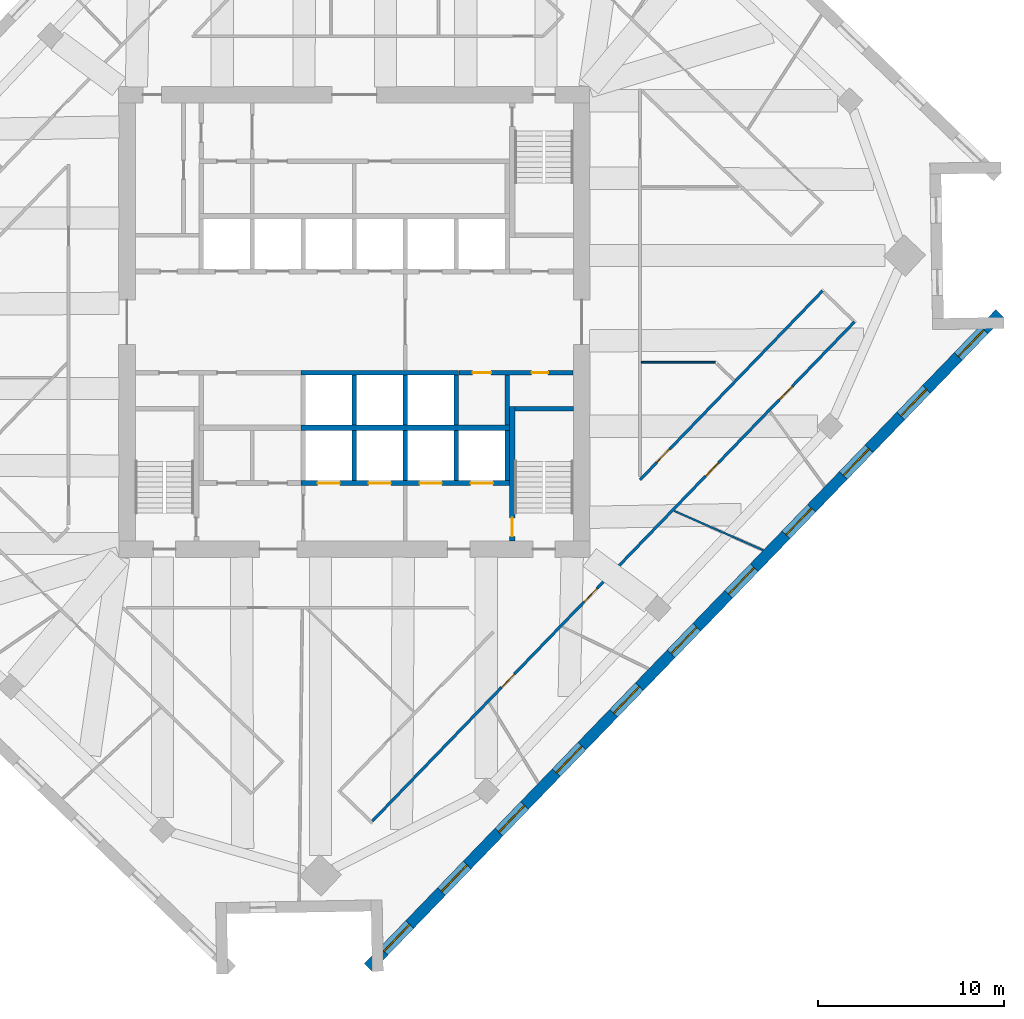
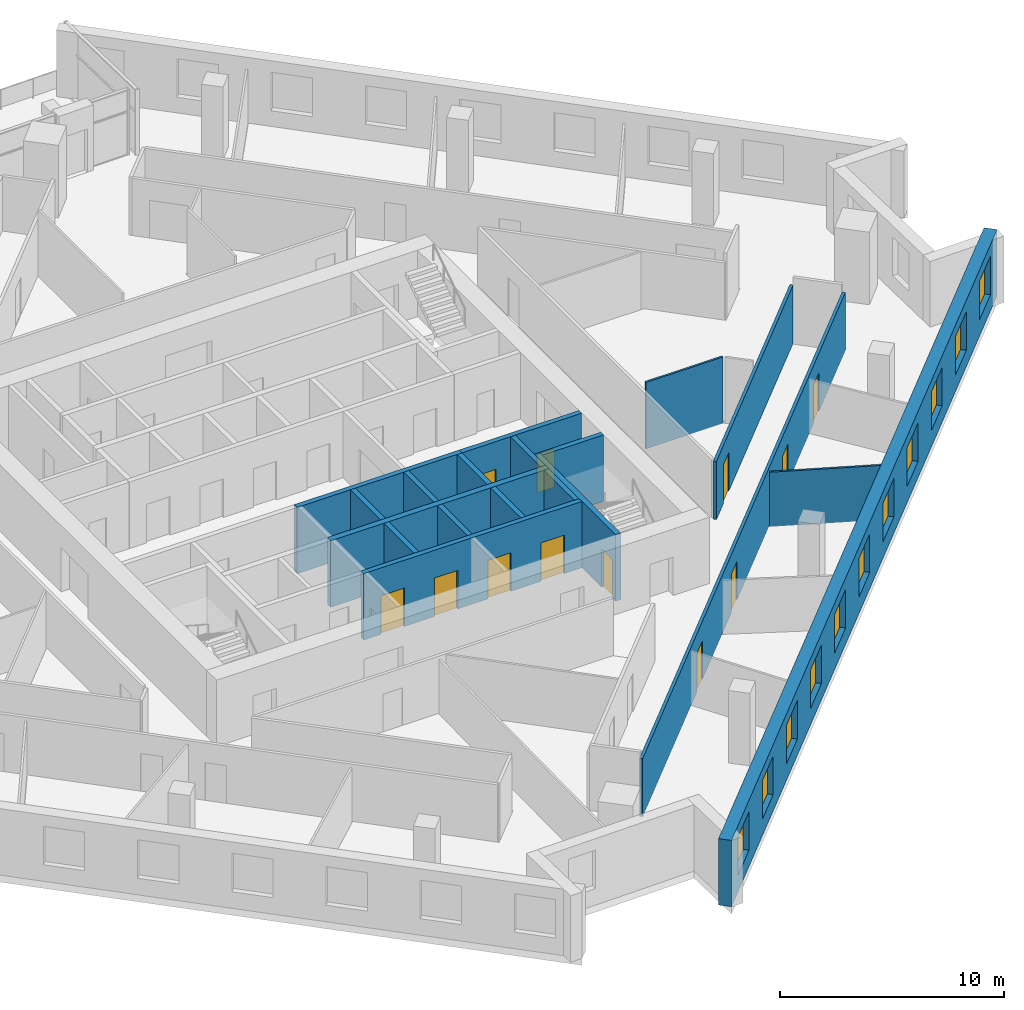
# One storey, part 7 of 13: 19 walls, 12 doors, 11 windows, 23 openings.
"""IFC4 building model written with IfcOpenShell, lengths in metres."""

import ifcopenshell
import ifcopenshell.guid

model = None  # the IFC model being written
_history = None  # IfcOwnerHistory: only IFC2X3 demands one
_inside = {}  # id of a spatial element -> (the spatial element, [elements in it])
_under = {}  # id of a project, library or spatial element -> (it, [spatial elements below it])
_declared = {}  # id of a project -> (the project, [libraries it declares])
_typed = {}  # id of a type object -> (the type object, [elements of that type])
_made_of = {}  # id of a material, layer set ... -> (it, [elements and type objects made of it])


def new_model(schema):
    """Start an empty IFC model of exactly this schema.

    Asked for "IFC4X3", IfcOpenShell would pick the latest addendum, in which some entities
    have other attributes; the version numbers below select the first issue.
    IFC2X3 requires an IfcOwnerHistory on every rooted entity: one is made here for all.
    """
    global model, _history
    if schema == "IFC4X3":
        model = ifcopenshell.file(schema_version=(4, 3, 0, 0))
    else:
        model = ifcopenshell.file(schema=schema)
    _inside.clear()
    _under.clear()
    _declared.clear()
    _typed.clear()
    _made_of.clear()
    _history = None
    if model.schema == "IFC2X3":
        org = make("IfcOrganization", Name="unknown")
        user = make(
            "IfcPersonAndOrganization",
            ThePerson=make("IfcPerson", FamilyName="unknown"),
            TheOrganization=org,
        )
        app = make(
            "IfcApplication",
            ApplicationDeveloper=org,
            Version="unknown",
            ApplicationFullName="unknown",
            ApplicationIdentifier="unknown",
        )
        _history = make(
            "IfcOwnerHistory",
            OwningUser=user,
            OwningApplication=app,
            ChangeAction="ADDED",
            CreationDate=0,
        )
    return model


def make(cls, **values):
    """One entity of the class cls with the attributes given. An attribute that is None is left unset."""
    return model.create_entity(
        cls, **{name: value for name, value in values.items() if value is not None}
    )


def rooted(cls, **values):
    """An entity with a GlobalId (a new one), such as an element, a storey or a relation."""
    return make(cls, GlobalId=ifcopenshell.guid.new(), OwnerHistory=_history, **values)


def si_unit(unit_type, name, prefix=None):
    """IfcSIUnit, for example si_unit("LENGTHUNIT", "METRE", prefix="MILLI")."""
    return make("IfcSIUnit", UnitType=unit_type, Prefix=prefix, Name=name)


def assignment(units):
    """IfcUnitAssignment: the units of a project."""
    return None if units is None else make("IfcUnitAssignment", Units=units)


def point(xyz):
    """IfcCartesianPoint."""
    return None if xyz is None else make("IfcCartesianPoint", Coordinates=xyz)


def direction(xyz):
    """IfcDirection."""
    return None if xyz is None else make("IfcDirection", DirectionRatios=xyz)


def frame(location, z_axis=None, x_axis=None):
    """IfcAxis2Placement3D, a coordinate frame: its origin and axes. An axis left out is left unset."""
    return make(
        "IfcAxis2Placement3D",
        Location=point(location),
        Axis=direction(z_axis),
        RefDirection=direction(x_axis),
    )


def frame_2d(location, x_axis=None):
    """IfcAxis2Placement2D, a coordinate frame in the plane: its origin and x axis."""
    return make(
        "IfcAxis2Placement2D", Location=point(location), RefDirection=direction(x_axis)
    )


def origin():
    """The frame at (0, 0, 0) with its axes left unset."""
    return frame((0.0, 0.0, 0.0))


def place(relative_to, where):
    """IfcLocalPlacement: puts the frame where relative to a parent placement (None: the world)."""
    return make(
        "IfcLocalPlacement", PlacementRelTo=relative_to, RelativePlacement=where
    )


def context(
    kind, dimensions, precision=None, world=None, true_north=None, identifier=None
):
    """IfcGeometricRepresentationContext, for example the 3D "Model" context."""
    return make(
        "IfcGeometricRepresentationContext",
        ContextIdentifier=identifier,
        ContextType=kind,
        CoordinateSpaceDimension=dimensions,
        Precision=precision,
        WorldCoordinateSystem=world,
        TrueNorth=true_north,
    )


def subcontext(parent, identifier, kind, view, scale=None):
    """IfcGeometricRepresentationSubContext, for example "Body" below "Model"."""
    return make(
        "IfcGeometricRepresentationSubContext",
        ContextIdentifier=identifier,
        ContextType=kind,
        ParentContext=parent,
        TargetScale=scale,
        TargetView=view,
    )


def project(units=None, contexts=None):
    """IfcProject with its units and contexts."""
    return rooted(
        "IfcProject",
        Name="project",
        RepresentationContexts=contexts,
        UnitsInContext=assignment(units),
    )


def spatial(cls, under=None, at=None, **own):
    """A site, building, storey or space (cls), placed at a placement, below another one or the project."""
    s = rooted(cls, ObjectPlacement=at, **own)
    if under is not None:
        _under.setdefault(under.id(), (under, []))[1].append(s)
    return s


def profile(cls, at=None, kind="AREA", **sizes):
    """A parametric profile (cls). Its sizes go by their IFC names, for example OverallWidth=200.0."""
    return make(cls, ProfileType=kind, Position=at, **sizes)


def rectangle(**sizes):
    """IfcRectangleProfileDef."""
    return profile("IfcRectangleProfileDef", **sizes)


def extrude(swept, where, along, depth):
    """IfcExtrudedAreaSolid: the profile swept, set in the frame where, extruded along a direction by depth."""
    return make(
        "IfcExtrudedAreaSolid",
        SweptArea=swept,
        Position=where,
        ExtrudedDirection=direction(along),
        Depth=depth,
    )


def shape(context_of_items, identifier, shape_type, items):
    """IfcShapeRepresentation: the items that make up one representation, for example the "Body"."""
    return make(
        "IfcShapeRepresentation",
        ContextOfItems=context_of_items,
        RepresentationIdentifier=identifier,
        RepresentationType=shape_type,
        Items=items,
    )


def material(Name=None, Category=None):
    """IfcMaterial."""
    return make("IfcMaterial", Name=Name, Category=Category)


def layer(
    of_material, thickness, ventilated=None, Name=None, Category=None, Priority=None
):
    """IfcMaterialLayer: one layer of a wall or slab, of a material (None: an air gap)."""
    return make(
        "IfcMaterialLayer",
        Material=of_material,
        LayerThickness=thickness,
        IsVentilated=ventilated,
        Name=Name,
        Category=Category,
        Priority=Priority,
    )


def layer_set(layers, Name=None):
    """IfcMaterialLayerSet."""
    return make("IfcMaterialLayerSet", MaterialLayers=layers, LayerSetName=Name)


def made_of(thing, what):
    """Note that an element or type object is made of a material, layer set ...; save() writes the relation."""
    if what is not None:
        _made_of.setdefault(what.id(), (what, []))[1].append(thing)
    return thing


def type_object(cls, material=None, **own):
    """A type object (cls), such as IfcWallType, which elements share."""
    return made_of(rooted(cls, **own), material)


def element(
    cls,
    number,
    at=None,
    inside=None,
    cuts=None,
    type_object=None,
    material=None,
    context=None,
    identifier="Body",
    shape_type=None,
    held_by="IfcProductDefinitionShape",
    body=None,
    shapes=None,
    **own,
):
    """One element of the class cls, such as IfcWall. Its Tag is "e" and its number.

    at: its placement. inside: the storey or other place that contains it. cuts: it is an
    opening in that element (IfcRelVoidsElement). A single representation is given by context,
    identifier, shape_type and body (its items); several are given by shapes. held_by: the class
    of the entity that holds the representations. save() writes the other relations.
    """
    e = rooted(cls, Tag="e%d" % number, ObjectPlacement=at, **own)
    if body is not None:
        shapes = [shape(context, identifier, shape_type, body)]
    if shapes is not None:
        e.Representation = make(held_by, Representations=shapes)
    if inside is not None:
        _inside.setdefault(inside.id(), (inside, []))[1].append(e)
    if cuts is not None:
        rooted(
            "IfcRelVoidsElement", RelatingBuildingElement=cuts, RelatedOpeningElement=e
        )
    if type_object is not None:
        _typed.setdefault(type_object.id(), (type_object, []))[1].append(e)
    return made_of(e, material)


def fill(opening, filler):
    """IfcRelFillsElement: the door or window that sits in an opening."""
    return rooted(
        "IfcRelFillsElement",
        RelatingOpeningElement=opening,
        RelatedBuildingElement=filler,
    )


def aggregate(whole, parts):
    """IfcRelAggregates: a whole, such as a stair, and the parts it consists of."""
    return rooted("IfcRelAggregates", RelatingObject=whole, RelatedObjects=parts)


def save(model, path):
    """Write the relations noted so far, then the file.

    IfcRelAggregates (storeys below a building ...), IfcRelContainedInSpatialStructure (elements
    in a storey), IfcRelDefinesByType, IfcRelAssociatesMaterial and IfcRelDeclares: one each for
    every whole, place, type object, material and project.
    """
    for whole, parts in _under.values():
        aggregate(whole, parts)
    for where, things in _inside.values():
        rooted(
            "IfcRelContainedInSpatialStructure",
            RelatedElements=things,
            RelatingStructure=where,
        )
    for kind, things in _typed.values():
        rooted("IfcRelDefinesByType", RelatedObjects=things, RelatingType=kind)
    for what, things in _made_of.values():
        rooted("IfcRelAssociatesMaterial", RelatedObjects=things, RelatingMaterial=what)
    for by, libraries in _declared.values():
        rooted("IfcRelDeclares", RelatingContext=by, RelatedDefinitions=libraries)
    model.write(path)


model = new_model("IFC4")

# Units and contexts
model_context = context("Model", 3, precision=1e-05, world=origin(), true_north=direction((0.0, 1.0)))
body_context = subcontext(model_context, "Body", "Model", "MODEL_VIEW")
ifc_project = project(units=[si_unit("LENGTHUNIT", "METRE"), si_unit("AREAUNIT", "SQUARE_METRE"), si_unit("VOLUMEUNIT", "CUBIC_METRE"), si_unit("PLANEANGLEUNIT", "RADIAN"), si_unit("MASSUNIT", "GRAM", prefix="KILO")], contexts=[model_context])

# Site, building, storey
site_placement = place(None, origin())
site = spatial("IfcSite", under=ifc_project, at=site_placement, CompositionType="ELEMENT")
building_placement = place(site_placement, origin())
building = spatial("IfcBuilding", under=site, at=building_placement, Name="Dilmun Exchange Tower", CompositionType="ELEMENT")
storey_placement = place(building_placement, frame((0.0, 0.0, 213.300048828125)))
storey = spatial("IfcBuildingStorey", under=building, at=storey_placement, Name="L50", CompositionType="ELEMENT", Elevation=213.300048828125)

# Wall
ifc_material_1 = material(Name="Concrete C40/50", Category="concrete")
ifc_layer_1 = layer(ifc_material_1, 0.25)
ifc_layer_set_1 = layer_set([ifc_layer_1], Name="Concrete C40/50")
wall_type_1 = type_object("IfcWallType", Name="Core partition wall 250", PredefinedType="PARTITIONING", material=ifc_layer_set_1)
wall_1_placement = place(storey_placement, frame((8.25, -5.544921875, 0.0), z_axis=(0.0, 0.0, 1.0), x_axis=(0.0, 1.0, 0.0)))
element("IfcWall", 1, at=wall_1_placement, inside=storey, type_object=wall_type_1, Name="L50 core partition wall 08", PredefinedType="PARTITIONING", context=body_context, shape_type="SweptSolid", body=[
    extrude(rectangle(XDim=2.68994140625, YDim=0.25, at=frame_2d((1.344970703125, 0.0))), origin(), (0.0, 0.0, 1.0), 3.619873046875),
])

# Wall, openings, doors
wall_2_placement = place(storey_placement, frame((5.6298828125, -2.72509765625, 0.0), z_axis=(0.0, 0.0, 1.0), x_axis=(1.0, 0.0, 0.0)))
wall_2 = element("IfcWall", 2, at=wall_2_placement, inside=storey, type_object=wall_type_1, Name="L50 core partition wall 10", PredefinedType="PARTITIONING", context=body_context, shape_type="SweptSolid", body=[
    extrude(rectangle(XDim=6.1650390625, YDim=0.25, at=frame_2d((3.08251953125, 0.0))), origin(), (0.0, 0.0, 1.0), 3.619873046875),
])
opening_1_placement = place(wall_2_placement, frame((0.7451171875, 0.0, 0.0)))
opening_1 = element("IfcOpeningElement", 3, at=opening_1_placement, cuts=wall_2, Name="Opening CD4", PredefinedType="OPENING", context=body_context, shape_type="SweptSolid", body=[
    extrude(rectangle(XDim=1.0, YDim=2.10009765625, at=frame_2d((0.5, 1.050048828125))), frame((0.0, 0.135009765625, 0.0), z_axis=(0.0, -1.0, 0.0), x_axis=(1.0, 0.0, 0.0)), (0.0, 0.0, 1.0), 0.27001953125),
])
opening_2_placement = place(wall_2_placement, frame((3.919921875, 0.0, 0.0)))
opening_2 = element("IfcOpeningElement", 4, at=opening_2_placement, cuts=wall_2, Name="Opening CD6", PredefinedType="OPENING", context=body_context, shape_type="SweptSolid", body=[
    extrude(rectangle(XDim=0.89990234375, YDim=2.10009765625, at=frame_2d((0.449951171875, 1.050048828125))), frame((0.0, 0.135009765625, 0.0), z_axis=(0.0, -1.0, 0.0), x_axis=(1.0, 0.0, 0.0)), (0.0, 0.0, 1.0), 0.27001953125),
])
ifc_material_2 = material(Name="Fire-rated steel door set", Category="steel")
door_type_1 = type_object("IfcDoorType", Name="Core room door 1000x2100", OperationType="SINGLE_SWING_LEFT", PredefinedType="DOOR", material=ifc_material_2)
door_1_placement = place(opening_1_placement, origin())
door_1 = element("IfcDoor", 5, at=door_1_placement, inside=storey, type_object=door_type_1, Name="L50 door Cleaners' store", OperationType="SINGLE_SWING_LEFT", OverallHeight=2.10009765625, OverallWidth=1.0, PredefinedType="DOOR", context=body_context, shape_type="SweptSolid", body=[
    extrude(rectangle(XDim=1.0, YDim=2.10009765625, at=frame_2d((0.5, 1.050048828125))), frame((0.0, 0.02490234375, 0.0), z_axis=(0.0, -1.0, 0.0), x_axis=(1.0, 0.0, 0.0)), (0.0, 0.0, 1.0), 0.050048828125),
])
fill(opening_1, door_1)
door_type_2 = type_object("IfcDoorType", Name="Core room door 900x2100", OperationType="SINGLE_SWING_LEFT", PredefinedType="DOOR", material=ifc_material_2)
door_2_placement = place(opening_2_placement, origin())
door_2 = element("IfcDoor", 6, at=door_2_placement, inside=storey, type_object=door_type_2, Name="L50 door Comms riser", OperationType="SINGLE_SWING_LEFT", OverallHeight=2.10009765625, OverallWidth=0.89990234375, PredefinedType="DOOR", context=body_context, shape_type="SweptSolid", body=[
    extrude(rectangle(XDim=0.89990234375, YDim=2.10009765625, at=frame_2d((0.449951171875, 1.050048828125))), frame((0.0, 0.02490234375, 0.0), z_axis=(0.0, -1.0, 0.0), x_axis=(1.0, 0.0, 0.0)), (0.0, 0.0, 1.0), 0.050048828125),
])
fill(opening_2, door_2)

ifc_material_3 = material(Name="Corridor wall 150")
ifc_layer_2 = layer(ifc_material_3, 0.14990234375)
ifc_layer_set_2 = layer_set([ifc_layer_2], Name="Corridor wall 150")
wall_type_2 = type_object("IfcWallType", Name="Corridor wall 150", PredefinedType="PARTITIONING", material=ifc_layer_set_2)
wall_3_placement = place(storey_placement, frame((0.97705078125, -26.889892578125, 0.0), z_axis=(0.0, 0.0, 1.0), x_axis=(0.694659509326, 0.719338700546, 0.0)))
wall_3 = element("IfcWall", 7, at=wall_3_placement, inside=storey, type_object=wall_type_2, Name="Corridor wall", PredefinedType="PARTITIONING", context=body_context, shape_type="SweptSolid", body=[
    extrude(rectangle(XDim=37.40380859375, YDim=0.14990234375, at=frame_2d((18.701904296875, 0.0))), origin(), (0.0, 0.0, 1.0), 3.169921875),
])
opening_3_placement = place(wall_3_placement, frame((10.01708984375, 0.0, 0.0)))
opening_3 = element("IfcOpeningElement", 8, at=opening_3_placement, cuts=wall_3, Name="Opening TF48-D16", PredefinedType="OPENING", context=body_context, shape_type="SweptSolid", body=[
    extrude(rectangle(XDim=1.0, YDim=2.10009765625, at=frame_2d((0.5, 1.050048828125))), frame((0.0, 0.0849609375, 0.0), z_axis=(0.0, -1.0, 0.0), x_axis=(1.0, 0.0, 0.0)), (0.0, 0.0, 1.0), 0.169921875),
])
opening_4_placement = place(wall_3_placement, frame((16.41552734375, 0.0, 0.0)))
opening_4 = element("IfcOpeningElement", 9, at=opening_4_placement, cuts=wall_3, Name="Opening TF48-D18", PredefinedType="OPENING", context=body_context, shape_type="SweptSolid", body=[
    extrude(rectangle(XDim=1.0, YDim=2.10009765625, at=frame_2d((0.5, 1.050048828125))), frame((0.0, 0.0849609375, 0.0), z_axis=(0.0, -1.0, 0.0), x_axis=(1.0, 0.0, 0.0)), (0.0, 0.0, 1.0), 0.169921875),
])
opening_5_placement = place(wall_3_placement, frame((25.837646484375, 0.0, 0.0)))
opening_5 = element("IfcOpeningElement", 10, at=opening_5_placement, cuts=wall_3, Name="Opening TF48-D22", PredefinedType="OPENING", context=body_context, shape_type="SweptSolid", body=[
    extrude(rectangle(XDim=1.0, YDim=2.10009765625, at=frame_2d((0.5, 1.050048828125))), frame((0.0, 0.0849609375, 0.0), z_axis=(0.0, -1.0, 0.0), x_axis=(1.0, 0.0, 0.0)), (0.0, 0.0, 1.0), 0.169921875),
])
opening_6_placement = place(wall_3_placement, frame((31.565673828125, 0.0, 0.0)))
opening_6 = element("IfcOpeningElement", 11, at=opening_6_placement, cuts=wall_3, Name="Opening TF48-D24", PredefinedType="OPENING", context=body_context, shape_type="SweptSolid", body=[
    extrude(rectangle(XDim=1.0, YDim=2.10009765625, at=frame_2d((0.5, 1.050048828125))), frame((0.0, 0.0849609375, 0.0), z_axis=(0.0, -1.0, 0.0), x_axis=(1.0, 0.0, 0.0)), (0.0, 0.0, 1.0), 0.169921875),
])
ifc_material_4 = material(Name="Fire door 1000 x 2100")
door_type_3 = type_object("IfcDoorType", Name="Fire door 1000 x 2100", OperationType="NOTDEFINED", PredefinedType="DOOR", material=ifc_material_4)
door_3_placement = place(opening_3_placement, frame((1.0, 0.0, 0.0), z_axis=(0.0, 0.0, 1.0), x_axis=(-1.0, 0.0, 0.0)))
door_3 = element("IfcDoor", 12, at=door_3_placement, inside=storey, type_object=door_type_3, Name="Door TF48-D16", OperationType="SINGLE_SWING_LEFT", OverallHeight=2.10009765625, OverallWidth=1.0, PredefinedType="DOOR", context=body_context, shape_type="SweptSolid", body=[
    extrude(rectangle(XDim=1.0, YDim=2.10009765625, at=frame_2d((0.5, 1.050048828125))), frame((0.0, 0.02490234375, 0.0), z_axis=(0.0, -1.0, 0.0), x_axis=(1.0, 0.0, 0.0)), (0.0, 0.0, 1.0), 0.050048828125),
])
fill(opening_3, door_3)
door_4_placement = place(opening_4_placement, frame((1.0, 0.0, 0.0), z_axis=(0.0, 0.0, 1.0), x_axis=(-1.0, 0.0, 0.0)))
door_4 = element("IfcDoor", 13, at=door_4_placement, inside=storey, type_object=door_type_3, Name="Door TF48-D18", OperationType="SINGLE_SWING_RIGHT", OverallHeight=2.10009765625, OverallWidth=1.0, PredefinedType="DOOR", context=body_context, shape_type="SweptSolid", body=[
    extrude(rectangle(XDim=1.0, YDim=2.10009765625, at=frame_2d((0.5, 1.050048828125))), frame((0.0, 0.02490234375, 0.0), z_axis=(0.0, -1.0, 0.0), x_axis=(1.0, 0.0, 0.0)), (0.0, 0.0, 1.0), 0.050048828125),
])
fill(opening_4, door_4)
door_5_placement = place(opening_5_placement, frame((1.0, 0.0, 0.0), z_axis=(0.0, 0.0, 1.0), x_axis=(-1.0, 0.0, 0.0)))
door_5 = element("IfcDoor", 14, at=door_5_placement, inside=storey, type_object=door_type_3, Name="Door TF48-D22", OperationType="SINGLE_SWING_RIGHT", OverallHeight=2.10009765625, OverallWidth=1.0, PredefinedType="DOOR", context=body_context, shape_type="SweptSolid", body=[
    extrude(rectangle(XDim=1.0, YDim=2.10009765625, at=frame_2d((0.5, 1.050048828125))), frame((0.0, 0.02490234375, 0.0), z_axis=(0.0, -1.0, 0.0), x_axis=(1.0, 0.0, 0.0)), (0.0, 0.0, 1.0), 0.050048828125),
])
fill(opening_5, door_5)
door_6_placement = place(opening_6_placement, frame((1.0, 0.0, 0.0), z_axis=(0.0, 0.0, 1.0), x_axis=(-1.0, 0.0, 0.0)))
door_6 = element("IfcDoor", 15, at=door_6_placement, inside=storey, type_object=door_type_3, Name="Door TF48-D24", OperationType="SINGLE_SWING_RIGHT", OverallHeight=2.10009765625, OverallWidth=1.0, PredefinedType="DOOR", context=body_context, shape_type="SweptSolid", body=[
    extrude(rectangle(XDim=1.0, YDim=2.10009765625, at=frame_2d((0.5, 1.050048828125))), frame((0.0, 0.02490234375, 0.0), z_axis=(0.0, -1.0, 0.0), x_axis=(1.0, 0.0, 0.0)), (0.0, 0.0, 1.0), 0.050048828125),
])
fill(opening_6, door_6)

# Wall, opening, door
wall_4_placement = place(storey_placement, frame((15.39990234375, -8.5, 0.0), z_axis=(0.0, 0.0, 1.0), x_axis=(0.694668375929, 0.719330138034, 0.0)))
wall_4 = element("IfcWall", 16, at=wall_4_placement, inside=storey, type_object=wall_type_2, Name="Corridor wall", PredefinedType="PARTITIONING", context=body_context, shape_type="SweptSolid", body=[
    extrude(rectangle(XDim=14.156494140625, YDim=0.14990234375, at=frame_2d((7.078125, 0.0))), origin(), (0.0, 0.0, 1.0), 3.169921875),
])
opening_7_placement = place(wall_4_placement, frame((1.30029296875, 0.0, 0.0)))
opening_7 = element("IfcOpeningElement", 17, at=opening_7_placement, cuts=wall_4, Name="Opening TF48-D20", PredefinedType="OPENING", context=body_context, shape_type="SweptSolid", body=[
    extrude(rectangle(XDim=1.0, YDim=2.10009765625, at=frame_2d((0.5, 1.050048828125))), frame((0.0, 0.0849609375, 0.0), z_axis=(0.0, -1.0, 0.0), x_axis=(1.0, 0.0, 0.0)), (0.0, 0.0, 1.0), 0.169921875),
])
door_7_placement = place(opening_7_placement, origin())
door_7 = element("IfcDoor", 18, at=door_7_placement, inside=storey, type_object=door_type_3, Name="Door TF48-D20", OperationType="SINGLE_SWING_RIGHT", OverallHeight=2.10009765625, OverallWidth=1.0, PredefinedType="DOOR", context=body_context, shape_type="SweptSolid", body=[
    extrude(rectangle(XDim=1.0, YDim=2.10009765625, at=frame_2d((0.5, 1.050048828125))), frame((0.0, 0.02490234375, 0.0), z_axis=(0.0, -1.0, 0.0), x_axis=(1.0, 0.0, 0.0)), (0.0, 0.0, 1.0), 0.050048828125),
])
fill(opening_7, door_7)

# Walls
ifc_layer_3 = layer(ifc_material_1, 0.300048828125)
ifc_layer_set_3 = layer_set([ifc_layer_3], Name="Concrete C40/50")
wall_type_3 = type_object("IfcWallType", Name="Lift shaft shared wall 300", PredefinedType="SOLIDWALL", material=ifc_layer_set_3)
wall_5_placement = place(storey_placement, frame((-2.875, -5.699951171875, 0.0), z_axis=(0.0, 0.0, 1.0), x_axis=(1.0, 0.0, 0.0)))
element("IfcWall", 19, at=wall_5_placement, inside=storey, type_object=wall_type_3, Name="L50 lift shaft rear wall S", PredefinedType="SOLIDWALL", context=body_context, shape_type="SweptSolid", body=[
    extrude(rectangle(XDim=11.25, YDim=0.300048828125, at=frame_2d((5.625, 0.0))), origin(), (0.0, 0.0, 1.0), 3.619873046875),
])
ifc_layer_4 = layer(ifc_material_1, 0.25)
ifc_layer_set_4 = layer_set([ifc_layer_4], Name="Concrete C40/50")
wall_type_4 = type_object("IfcWallType", Name="Lift shaft wall 250", PredefinedType="SOLIDWALL", material=ifc_layer_set_4)
wall_6_placement = place(storey_placement, frame((-2.875, -2.72509765625, 0.0), z_axis=(0.0, 0.0, 1.0), x_axis=(1.0, 0.0, 0.0)))
element("IfcWall", 20, at=wall_6_placement, inside=storey, type_object=wall_type_4, Name="L50 lift shaft front wall S1", PredefinedType="SOLIDWALL", context=body_context, shape_type="SweptSolid", body=[
    extrude(rectangle(XDim=8.5, YDim=0.25, at=frame_2d((4.25, 0.0))), origin(), (0.0, 0.0, 1.0), 3.619873046875),
])
for number, where, z_axis, x_axis, name in (
    (21, (0.0, -5.550048828125, 0.0), (0.0, 0.0, 1.0), (0.0, 1.0, 0.0), "L50 lift shaft divider S13"),
    (22, (2.75, -5.550048828125, 0.0), (0.0, 0.0, 1.0), (0.0, 1.0, 0.0), "L50 lift shaft divider S14"),
    (23, (5.5, -5.550048828125, 0.0), (0.0, 0.0, 1.0), (0.0, 1.0, 0.0), "L50 lift shaft divider S15"),
):
    element("IfcWall", number, at=place(storey_placement, frame(where, z_axis=z_axis, x_axis=x_axis)), inside=storey, type_object=wall_type_4, Name=name, PredefinedType="SOLIDWALL", context=body_context, shape_type="SweptSolid", body=[
        extrude(rectangle(XDim=2.699951171875, YDim=0.25, at=frame_2d((1.35009765625, 0.0))), origin(), (0.0, 0.0, 1.0), 3.619873046875),
    ])

# Wall, openings, doors
wall_7_placement = place(storey_placement, frame((-2.875, -8.675048828125, 0.0), z_axis=(0.0, 0.0, 1.0), x_axis=(1.0, 0.0, 0.0)))
wall_7 = element("IfcWall", 24, at=wall_7_placement, inside=storey, type_object=wall_type_4, Name="L50 lift shaft front wall S2", PredefinedType="SOLIDWALL", context=body_context, shape_type="SweptSolid", body=[
    extrude(rectangle(XDim=11.25, YDim=0.25, at=frame_2d((5.625, 0.0))), origin(), (0.0, 0.0, 1.0), 3.619873046875),
])
opening_8_placement = place(wall_7_placement, frame((0.89990234375, 0.0, 0.0)))
opening_8 = element("IfcOpeningElement", 25, at=opening_8_placement, cuts=wall_7, Name="Opening LD", PredefinedType="OPENING", context=body_context, shape_type="SweptSolid", body=[
    extrude(rectangle(XDim=1.199951171875, YDim=2.10009765625, at=frame_2d((0.60009765625, 1.050048828125))), frame((0.0, 0.135009765625, 0.0), z_axis=(0.0, -1.0, 0.0), x_axis=(1.0, 0.0, 0.0)), (0.0, 0.0, 1.0), 0.27001953125),
])
opening_9_placement = place(wall_7_placement, frame((3.64990234375, 0.0, 0.0)))
opening_9 = element("IfcOpeningElement", 26, at=opening_9_placement, cuts=wall_7, Name="Opening LD", PredefinedType="OPENING", context=body_context, shape_type="SweptSolid", body=[
    extrude(rectangle(XDim=1.199951171875, YDim=2.10009765625, at=frame_2d((0.60009765625, 1.050048828125))), frame((0.0, 0.135009765625, 0.0), z_axis=(0.0, -1.0, 0.0), x_axis=(1.0, 0.0, 0.0)), (0.0, 0.0, 1.0), 0.27001953125),
])
opening_10_placement = place(wall_7_placement, frame((6.39990234375, 0.0, 0.0)))
opening_10 = element("IfcOpeningElement", 27, at=opening_10_placement, cuts=wall_7, Name="Opening LD", PredefinedType="OPENING", context=body_context, shape_type="SweptSolid", body=[
    extrude(rectangle(XDim=1.199951171875, YDim=2.10009765625, at=frame_2d((0.60009765625, 1.050048828125))), frame((0.0, 0.135009765625, 0.0), z_axis=(0.0, -1.0, 0.0), x_axis=(1.0, 0.0, 0.0)), (0.0, 0.0, 1.0), 0.27001953125),
])
opening_11_placement = place(wall_7_placement, frame((9.14990234375, 0.0, 0.0)))
opening_11 = element("IfcOpeningElement", 28, at=opening_11_placement, cuts=wall_7, Name="Opening LD", PredefinedType="OPENING", context=body_context, shape_type="SweptSolid", body=[
    extrude(rectangle(XDim=1.199951171875, YDim=2.10009765625, at=frame_2d((0.60009765625, 1.050048828125))), frame((0.0, 0.135009765625, 0.0), z_axis=(0.0, -1.0, 0.0), x_axis=(1.0, 0.0, 0.0)), (0.0, 0.0, 1.0), 0.27001953125),
])
door_type_4 = type_object("IfcDoorType", Name="Lift landing door 1200x2100", OperationType="DOUBLE_DOOR_SLIDING", PredefinedType="DOOR", material=ifc_material_2)
door_8_placement = place(opening_8_placement, origin())
door_8 = element("IfcDoor", 29, at=door_8_placement, inside=storey, type_object=door_type_4, Name="L50 landing door SV1", OperationType="DOUBLE_DOOR_SLIDING", OverallHeight=2.10009765625, OverallWidth=1.199951171875, PredefinedType="DOOR", context=body_context, shape_type="SweptSolid", body=[
    extrude(rectangle(XDim=1.199951171875, YDim=2.10009765625, at=frame_2d((0.60009765625, 1.050048828125))), frame((0.0, 0.02490234375, 0.0), z_axis=(0.0, -1.0, 0.0), x_axis=(1.0, 0.0, 0.0)), (0.0, 0.0, 1.0), 0.050048828125),
])
fill(opening_8, door_8)
door_9_placement = place(opening_9_placement, origin())
door_9 = element("IfcDoor", 30, at=door_9_placement, inside=storey, type_object=door_type_4, Name="L50 landing door SV2", OperationType="DOUBLE_DOOR_SLIDING", OverallHeight=2.10009765625, OverallWidth=1.199951171875, PredefinedType="DOOR", context=body_context, shape_type="SweptSolid", body=[
    extrude(rectangle(XDim=1.199951171875, YDim=2.10009765625, at=frame_2d((0.60009765625, 1.050048828125))), frame((0.0, 0.02490234375, 0.0), z_axis=(0.0, -1.0, 0.0), x_axis=(1.0, 0.0, 0.0)), (0.0, 0.0, 1.0), 0.050048828125),
])
fill(opening_9, door_9)
door_10_placement = place(opening_10_placement, origin())
door_10 = element("IfcDoor", 31, at=door_10_placement, inside=storey, type_object=door_type_4, Name="L50 landing door FF1", OperationType="DOUBLE_DOOR_SLIDING", OverallHeight=2.10009765625, OverallWidth=1.199951171875, PredefinedType="DOOR", context=body_context, shape_type="SweptSolid", body=[
    extrude(rectangle(XDim=1.199951171875, YDim=2.10009765625, at=frame_2d((0.60009765625, 1.050048828125))), frame((0.0, 0.02490234375, 0.0), z_axis=(0.0, -1.0, 0.0), x_axis=(1.0, 0.0, 0.0)), (0.0, 0.0, 1.0), 0.050048828125),
])
fill(opening_10, door_10)
door_11_placement = place(opening_11_placement, origin())
door_11 = element("IfcDoor", 32, at=door_11_placement, inside=storey, type_object=door_type_4, Name="L50 landing door FF2", OperationType="DOUBLE_DOOR_SLIDING", OverallHeight=2.10009765625, OverallWidth=1.199951171875, PredefinedType="DOOR", context=body_context, shape_type="SweptSolid", body=[
    extrude(rectangle(XDim=1.199951171875, YDim=2.10009765625, at=frame_2d((0.60009765625, 1.050048828125))), frame((0.0, 0.02490234375, 0.0), z_axis=(0.0, -1.0, 0.0), x_axis=(1.0, 0.0, 0.0)), (0.0, 0.0, 1.0), 0.050048828125),
])
fill(opening_11, door_11)

# Walls
for number, where, z_axis, x_axis, name in (
    (33, (0.0, -8.550048828125, 0.0), (0.0, 0.0, 1.0), (0.0, 1.0, 0.0), "L50 lift shaft divider S23"),
    (34, (2.75, -8.550048828125, 0.0), (0.0, 0.0, 1.0), (0.0, 1.0, 0.0), "L50 lift shaft divider S24"),
    (35, (5.5, -8.550048828125, 0.0), (0.0, 0.0, 1.0), (0.0, 1.0, 0.0), "L50 lift shaft divider S25"),
    (36, (8.25, -8.550048828125, 0.0), (0.0, 0.0, 1.0), (0.0, 1.0, 0.0), "L50 lift shaft divider S26"),
):
    element("IfcWall", number, at=place(storey_placement, frame(where, z_axis=z_axis, x_axis=x_axis)), inside=storey, type_object=wall_type_4, Name=name, PredefinedType="SOLIDWALL", context=body_context, shape_type="SweptSolid", body=[
        extrude(rectangle(XDim=2.699951171875, YDim=0.25, at=frame_2d((1.35009765625, 0.0))), origin(), (0.0, 0.0, 1.0), 3.619873046875),
    ])
ifc_material_5 = material(Name="Partition 100")
ifc_layer_5 = layer(ifc_material_5, 0.10009765625)
ifc_layer_set_5 = layer_set([ifc_layer_5], Name="Partition 100")
wall_type_5 = type_object("IfcWallType", Name="Partition 100", PredefinedType="PARTITIONING", material=ifc_layer_set_5)
wall_8_placement = place(storey_placement, frame((15.47509765625, -2.162109375, 0.0), z_axis=(0.0, 0.0, 1.0), x_axis=(1.0, 0.0, 0.0)))
element("IfcWall", 37, at=wall_8_placement, inside=storey, type_object=wall_type_5, Name="Partition", PredefinedType="PARTITIONING", context=body_context, shape_type="SweptSolid", body=[
    extrude(rectangle(XDim=3.97900390625, YDim=0.10009765625, at=frame_2d((1.989501953125, 0.0))), origin(), (0.0, 0.0, 1.0), 3.619873046875),
])
wall_9_placement = place(storey_placement, frame((17.243896484375, -10.177734375, 0.0), z_axis=(0.0, 0.0, 1.0), x_axis=(0.914761015663, -0.403995401239, 0.0)))
element("IfcWall", 38, at=wall_9_placement, inside=storey, type_object=wall_type_5, Name="Partition", PredefinedType="PARTITIONING", context=body_context, shape_type="SweptSolid", body=[
    extrude(rectangle(XDim=5.245361328125, YDim=0.10009765625, at=frame_2d((2.62255859375, 0.0))), origin(), (0.0, 0.0, 1.0), 2.969970703125),
])

# Wall, openings, windows
ifc_material_6 = material(Name="Precast concrete C50/60", Category="concrete")
ifc_layer_6 = layer(ifc_material_6, 0.60009765625)
ifc_layer_set_6 = layer_set([ifc_layer_6], Name="Precast concrete C50/60")
wall_type_6 = type_object("IfcWallType", Name="Precast stone-clad wall 600", PredefinedType="STANDARD", material=ifc_layer_set_6)
wall_10_placement = place(storey_placement, frame((0.74853515625, -34.781982421875, 0.0), z_axis=(0.0, 0.0, 1.0), x_axis=(0.694657553534, 0.719340589233, 0.0)))
wall_10 = element("IfcWall", 39, at=wall_10_placement, inside=storey, type_object=wall_type_6, Name="Facade wall L50-11", PredefinedType="STANDARD", context=body_context, shape_type="SweptSolid", body=[
    extrude(rectangle(XDim=49.000244140625, YDim=0.60009765625, at=frame_2d((24.5, 0.0))), origin(), (0.0, 0.0, 1.0), 3.619873046875),
])
opening_12_placement = place(wall_10_placement, frame((1.227294921875, 0.0, 0.89990234375)))
opening_12 = element("IfcOpeningElement", 40, at=opening_12_placement, cuts=wall_10, Name="Opening W200-210", PredefinedType="OPENING", context=body_context, shape_type="SweptSolid", body=[
    extrude(rectangle(XDim=2.0, YDim=2.10009765625, at=frame_2d((1.0, 1.050048828125))), frame((0.0, 0.31005859375, 0.0), z_axis=(0.0, -1.0, 0.0), x_axis=(1.0, 0.0, 0.0)), (0.0, 0.0, 1.0), 0.6201171875),
])
opening_13_placement = place(wall_10_placement, frame((5.681884765625, 0.0, 0.89990234375)))
opening_13 = element("IfcOpeningElement", 41, at=opening_13_placement, cuts=wall_10, Name="Opening W200-210", PredefinedType="OPENING", context=body_context, shape_type="SweptSolid", body=[
    extrude(rectangle(XDim=2.0, YDim=2.10009765625, at=frame_2d((1.0, 1.050048828125))), frame((0.0, 0.31005859375, 0.0), z_axis=(0.0, -1.0, 0.0), x_axis=(1.0, 0.0, 0.0)), (0.0, 0.0, 1.0), 0.6201171875),
])
opening_14_placement = place(wall_10_placement, frame((10.136474609375, 0.0, 0.89990234375)))
opening_14 = element("IfcOpeningElement", 42, at=opening_14_placement, cuts=wall_10, Name="Opening W200-210", PredefinedType="OPENING", context=body_context, shape_type="SweptSolid", body=[
    extrude(rectangle(XDim=2.0, YDim=2.10009765625, at=frame_2d((1.0, 1.050048828125))), frame((0.0, 0.31005859375, 0.0), z_axis=(0.0, -1.0, 0.0), x_axis=(1.0, 0.0, 0.0)), (0.0, 0.0, 1.0), 0.6201171875),
])
opening_15_placement = place(wall_10_placement, frame((14.5908203125, 0.0, 0.89990234375)))
opening_15 = element("IfcOpeningElement", 43, at=opening_15_placement, cuts=wall_10, Name="Opening W200-210", PredefinedType="OPENING", context=body_context, shape_type="SweptSolid", body=[
    extrude(rectangle(XDim=2.0, YDim=2.10009765625, at=frame_2d((1.0, 1.050048828125))), frame((0.0, 0.31005859375, 0.0), z_axis=(0.0, -1.0, 0.0), x_axis=(1.0, 0.0, 0.0)), (0.0, 0.0, 1.0), 0.6201171875),
])
opening_16_placement = place(wall_10_placement, frame((19.04541015625, 0.0, 0.89990234375)))
opening_16 = element("IfcOpeningElement", 44, at=opening_16_placement, cuts=wall_10, Name="Opening W200-210", PredefinedType="OPENING", context=body_context, shape_type="SweptSolid", body=[
    extrude(rectangle(XDim=2.0, YDim=2.10009765625, at=frame_2d((1.0, 1.050048828125))), frame((0.0, 0.31005859375, 0.0), z_axis=(0.0, -1.0, 0.0), x_axis=(1.0, 0.0, 0.0)), (0.0, 0.0, 1.0), 0.6201171875),
])
opening_17_placement = place(wall_10_placement, frame((23.5, 0.0, 0.89990234375)))
opening_17 = element("IfcOpeningElement", 45, at=opening_17_placement, cuts=wall_10, Name="Opening W200-210", PredefinedType="OPENING", context=body_context, shape_type="SweptSolid", body=[
    extrude(rectangle(XDim=2.0, YDim=2.10009765625, at=frame_2d((1.0, 1.050048828125))), frame((0.0, 0.31005859375, 0.0), z_axis=(0.0, -1.0, 0.0), x_axis=(1.0, 0.0, 0.0)), (0.0, 0.0, 1.0), 0.6201171875),
])
opening_18_placement = place(wall_10_placement, frame((27.95458984375, 0.0, 0.89990234375)))
opening_18 = element("IfcOpeningElement", 46, at=opening_18_placement, cuts=wall_10, Name="Opening W200-210", PredefinedType="OPENING", context=body_context, shape_type="SweptSolid", body=[
    extrude(rectangle(XDim=2.0, YDim=2.10009765625, at=frame_2d((1.0, 1.050048828125))), frame((0.0, 0.31005859375, 0.0), z_axis=(0.0, -1.0, 0.0), x_axis=(1.0, 0.0, 0.0)), (0.0, 0.0, 1.0), 0.6201171875),
])
opening_19_placement = place(wall_10_placement, frame((32.4091796875, 0.0, 0.89990234375)))
opening_19 = element("IfcOpeningElement", 47, at=opening_19_placement, cuts=wall_10, Name="Opening W200-210", PredefinedType="OPENING", context=body_context, shape_type="SweptSolid", body=[
    extrude(rectangle(XDim=2.0, YDim=2.10009765625, at=frame_2d((1.0, 1.050048828125))), frame((0.0, 0.31005859375, 0.0), z_axis=(0.0, -1.0, 0.0), x_axis=(1.0, 0.0, 0.0)), (0.0, 0.0, 1.0), 0.6201171875),
])
opening_20_placement = place(wall_10_placement, frame((36.863525390625, 0.0, 0.89990234375)))
opening_20 = element("IfcOpeningElement", 48, at=opening_20_placement, cuts=wall_10, Name="Opening W200-210", PredefinedType="OPENING", context=body_context, shape_type="SweptSolid", body=[
    extrude(rectangle(XDim=2.0, YDim=2.10009765625, at=frame_2d((1.0, 1.050048828125))), frame((0.0, 0.31005859375, 0.0), z_axis=(0.0, -1.0, 0.0), x_axis=(1.0, 0.0, 0.0)), (0.0, 0.0, 1.0), 0.6201171875),
])
opening_21_placement = place(wall_10_placement, frame((41.318115234375, 0.0, 0.89990234375)))
opening_21 = element("IfcOpeningElement", 49, at=opening_21_placement, cuts=wall_10, Name="Opening W200-210", PredefinedType="OPENING", context=body_context, shape_type="SweptSolid", body=[
    extrude(rectangle(XDim=2.0, YDim=2.10009765625, at=frame_2d((1.0, 1.050048828125))), frame((0.0, 0.31005859375, 0.0), z_axis=(0.0, -1.0, 0.0), x_axis=(1.0, 0.0, 0.0)), (0.0, 0.0, 1.0), 0.6201171875),
])
opening_22_placement = place(wall_10_placement, frame((45.772705078125, 0.0, 0.89990234375)))
opening_22 = element("IfcOpeningElement", 50, at=opening_22_placement, cuts=wall_10, Name="Opening W200-210", PredefinedType="OPENING", context=body_context, shape_type="SweptSolid", body=[
    extrude(rectangle(XDim=2.0, YDim=2.10009765625, at=frame_2d((1.0, 1.050048828125))), frame((0.0, 0.31005859375, 0.0), z_axis=(0.0, -1.0, 0.0), x_axis=(1.0, 0.0, 0.0)), (0.0, 0.0, 1.0), 0.6201171875),
])
ifc_material_7 = material(Name="Clear low-emissivity glass in aluminium frame", Category="aluminium")
window_type = type_object("IfcWindowType", Name="Punched window 2000 x 2100", PartitioningType="DOUBLE_PANEL_VERTICAL", PredefinedType="WINDOW", material=ifc_material_7)
window_1_placement = place(opening_12_placement, origin())
window_1 = element("IfcWindow", 51, at=window_1_placement, inside=storey, type_object=window_type, Name="Window 12.1", OverallHeight=2.10009765625, OverallWidth=2.0, PartitioningType="SINGLE_PANEL", PredefinedType="WINDOW", context=body_context, shape_type="SweptSolid", body=[
    extrude(rectangle(XDim=2.0, YDim=2.10009765625, at=frame_2d((1.0, 1.050048828125))), frame((0.0, 0.030029296875, 0.0), z_axis=(0.0, -1.0, 0.0), x_axis=(1.0, 0.0, 0.0)), (0.0, 0.0, 1.0), 0.06005859375),
])
fill(opening_12, window_1)
window_2_placement = place(opening_13_placement, origin())
window_2 = element("IfcWindow", 52, at=window_2_placement, inside=storey, type_object=window_type, Name="Window 12.2", OverallHeight=2.10009765625, OverallWidth=2.0, PartitioningType="SINGLE_PANEL", PredefinedType="WINDOW", context=body_context, shape_type="SweptSolid", body=[
    extrude(rectangle(XDim=2.0, YDim=2.10009765625, at=frame_2d((1.0, 1.050048828125))), frame((0.0, 0.030029296875, 0.0), z_axis=(0.0, -1.0, 0.0), x_axis=(1.0, 0.0, 0.0)), (0.0, 0.0, 1.0), 0.06005859375),
])
fill(opening_13, window_2)
window_3_placement = place(opening_14_placement, origin())
window_3 = element("IfcWindow", 53, at=window_3_placement, inside=storey, type_object=window_type, Name="Window 12.3", OverallHeight=2.10009765625, OverallWidth=2.0, PartitioningType="SINGLE_PANEL", PredefinedType="WINDOW", context=body_context, shape_type="SweptSolid", body=[
    extrude(rectangle(XDim=2.0, YDim=2.10009765625, at=frame_2d((1.0, 1.050048828125))), frame((0.0, 0.030029296875, 0.0), z_axis=(0.0, -1.0, 0.0), x_axis=(1.0, 0.0, 0.0)), (0.0, 0.0, 1.0), 0.06005859375),
])
fill(opening_14, window_3)
window_4_placement = place(opening_15_placement, origin())
window_4 = element("IfcWindow", 54, at=window_4_placement, inside=storey, type_object=window_type, Name="Window 12.4", OverallHeight=2.10009765625, OverallWidth=2.0, PartitioningType="SINGLE_PANEL", PredefinedType="WINDOW", context=body_context, shape_type="SweptSolid", body=[
    extrude(rectangle(XDim=2.0, YDim=2.10009765625, at=frame_2d((1.0, 1.050048828125))), frame((0.0, 0.030029296875, 0.0), z_axis=(0.0, -1.0, 0.0), x_axis=(1.0, 0.0, 0.0)), (0.0, 0.0, 1.0), 0.06005859375),
])
fill(opening_15, window_4)
window_5_placement = place(opening_16_placement, origin())
window_5 = element("IfcWindow", 55, at=window_5_placement, inside=storey, type_object=window_type, Name="Window 12.5", OverallHeight=2.10009765625, OverallWidth=2.0, PartitioningType="SINGLE_PANEL", PredefinedType="WINDOW", context=body_context, shape_type="SweptSolid", body=[
    extrude(rectangle(XDim=2.0, YDim=2.10009765625, at=frame_2d((1.0, 1.050048828125))), frame((0.0, 0.030029296875, 0.0), z_axis=(0.0, -1.0, 0.0), x_axis=(1.0, 0.0, 0.0)), (0.0, 0.0, 1.0), 0.06005859375),
])
fill(opening_16, window_5)
window_6_placement = place(opening_17_placement, origin())
window_6 = element("IfcWindow", 56, at=window_6_placement, inside=storey, type_object=window_type, Name="Window 12.6", OverallHeight=2.10009765625, OverallWidth=2.0, PartitioningType="SINGLE_PANEL", PredefinedType="WINDOW", context=body_context, shape_type="SweptSolid", body=[
    extrude(rectangle(XDim=2.0, YDim=2.10009765625, at=frame_2d((1.0, 1.050048828125))), frame((0.0, 0.030029296875, 0.0), z_axis=(0.0, -1.0, 0.0), x_axis=(1.0, 0.0, 0.0)), (0.0, 0.0, 1.0), 0.06005859375),
])
fill(opening_17, window_6)
window_7_placement = place(opening_18_placement, origin())
window_7 = element("IfcWindow", 57, at=window_7_placement, inside=storey, type_object=window_type, Name="Window 12.7", OverallHeight=2.10009765625, OverallWidth=2.0, PartitioningType="SINGLE_PANEL", PredefinedType="WINDOW", context=body_context, shape_type="SweptSolid", body=[
    extrude(rectangle(XDim=2.0, YDim=2.10009765625, at=frame_2d((1.0, 1.050048828125))), frame((0.0, 0.030029296875, 0.0), z_axis=(0.0, -1.0, 0.0), x_axis=(1.0, 0.0, 0.0)), (0.0, 0.0, 1.0), 0.06005859375),
])
fill(opening_18, window_7)
window_8_placement = place(opening_19_placement, origin())
window_8 = element("IfcWindow", 58, at=window_8_placement, inside=storey, type_object=window_type, Name="Window 12.8", OverallHeight=2.10009765625, OverallWidth=2.0, PartitioningType="SINGLE_PANEL", PredefinedType="WINDOW", context=body_context, shape_type="SweptSolid", body=[
    extrude(rectangle(XDim=2.0, YDim=2.10009765625, at=frame_2d((1.0, 1.050048828125))), frame((0.0, 0.030029296875, 0.0), z_axis=(0.0, -1.0, 0.0), x_axis=(1.0, 0.0, 0.0)), (0.0, 0.0, 1.0), 0.06005859375),
])
fill(opening_19, window_8)
window_9_placement = place(opening_20_placement, origin())
window_9 = element("IfcWindow", 59, at=window_9_placement, inside=storey, type_object=window_type, Name="Window 12.9", OverallHeight=2.10009765625, OverallWidth=2.0, PartitioningType="SINGLE_PANEL", PredefinedType="WINDOW", context=body_context, shape_type="SweptSolid", body=[
    extrude(rectangle(XDim=2.0, YDim=2.10009765625, at=frame_2d((1.0, 1.050048828125))), frame((0.0, 0.030029296875, 0.0), z_axis=(0.0, -1.0, 0.0), x_axis=(1.0, 0.0, 0.0)), (0.0, 0.0, 1.0), 0.06005859375),
])
fill(opening_20, window_9)
window_10_placement = place(opening_21_placement, origin())
window_10 = element("IfcWindow", 60, at=window_10_placement, inside=storey, type_object=window_type, Name="Window 12.10", OverallHeight=2.10009765625, OverallWidth=2.0, PartitioningType="SINGLE_PANEL", PredefinedType="WINDOW", context=body_context, shape_type="SweptSolid", body=[
    extrude(rectangle(XDim=2.0, YDim=2.10009765625, at=frame_2d((1.0, 1.050048828125))), frame((0.0, 0.030029296875, 0.0), z_axis=(0.0, -1.0, 0.0), x_axis=(1.0, 0.0, 0.0)), (0.0, 0.0, 1.0), 0.06005859375),
])
fill(opening_21, window_10)
window_11_placement = place(opening_22_placement, origin())
window_11 = element("IfcWindow", 61, at=window_11_placement, inside=storey, type_object=window_type, Name="Window 12.11", OverallHeight=2.10009765625, OverallWidth=2.0, PartitioningType="SINGLE_PANEL", PredefinedType="WINDOW", context=body_context, shape_type="SweptSolid", body=[
    extrude(rectangle(XDim=2.0, YDim=2.10009765625, at=frame_2d((1.0, 1.050048828125))), frame((0.0, 0.030029296875, 0.0), z_axis=(0.0, -1.0, 0.0), x_axis=(1.0, 0.0, 0.0)), (0.0, 0.0, 1.0), 0.06005859375),
])
fill(opening_22, window_11)

# Wall
ifc_layer_7 = layer(ifc_material_1, 0.25)
ifc_layer_set_7 = layer_set([ifc_layer_7], Name="Concrete C40/50")
wall_type_7 = type_object("IfcWallType", Name="Stair end wall 250", PredefinedType="SOLIDWALL", material=ifc_layer_set_7)
wall_11_placement = place(storey_placement, frame((8.64990234375, -4.675048828125, 0.0), z_axis=(0.0, 0.0, 1.0), x_axis=(1.0, 0.0, 0.0)))
element("IfcWall", 62, at=wall_11_placement, inside=storey, type_object=wall_type_7, Name="L50 ST3 far wall", PredefinedType="SOLIDWALL", context=body_context, shape_type="SweptSolid", body=[
    extrude(rectangle(XDim=3.150146484375, YDim=0.25, at=frame_2d((1.5751953125, 0.0))), origin(), (0.0, 0.0, 1.0), 3.619873046875),
])

# Wall, opening, door
ifc_layer_8 = layer(ifc_material_1, 0.27490234375)
ifc_layer_set_8 = layer_set([ifc_layer_8], Name="Concrete C40/50")
wall_type_8 = type_object("IfcWallType", Name="Stair wall 275", PredefinedType="SOLIDWALL", material=ifc_layer_set_8)
wall_12_placement = place(storey_placement, frame((8.512451171875, -4.550048828125, 0.0), z_axis=(0.0, 0.0, 1.0), x_axis=(0.0, -1.0, 0.0)))
wall_12 = element("IfcWall", 63, at=wall_12_placement, inside=storey, type_object=wall_type_8, Name="L50 ST3 wall to lift block", PredefinedType="SOLIDWALL", context=body_context, shape_type="SweptSolid", body=[
    extrude(rectangle(XDim=7.25, YDim=0.27490234375, at=frame_2d((3.625, 0.0))), origin(), (0.0, 0.0, 1.0), 3.619873046875),
])
opening_23_placement = place(wall_12_placement, frame((6.0, 0.0, 0.0)))
opening_23 = element("IfcOpeningElement", 64, at=opening_23_placement, cuts=wall_12, Name="Opening CD4", PredefinedType="OPENING", context=body_context, shape_type="SweptSolid", body=[
    extrude(rectangle(XDim=1.0, YDim=2.10009765625, at=frame_2d((0.5, 1.050048828125))), frame((0.0, 0.1474609375, 0.0), z_axis=(0.0, -1.0, 0.0), x_axis=(1.0, 0.0, 0.0)), (0.0, 0.0, 1.0), 0.294921875),
])
door_12_placement = place(opening_23_placement, origin())
door_12 = element("IfcDoor", 65, at=door_12_placement, inside=storey, type_object=door_type_1, Name="L50 door ST3 from lobby", OperationType="SINGLE_SWING_LEFT", OverallHeight=2.10009765625, OverallWidth=1.0, PredefinedType="DOOR", context=body_context, shape_type="SweptSolid", body=[
    extrude(rectangle(XDim=1.0, YDim=2.10009765625, at=frame_2d((0.5, 1.050048828125))), frame((0.0, 0.02490234375, 0.0), z_axis=(0.0, -1.0, 0.0), x_axis=(1.0, 0.0, 0.0)), (0.0, 0.0, 1.0), 0.050048828125),
])
fill(opening_23, door_12)

save(model, "model.ifc")
